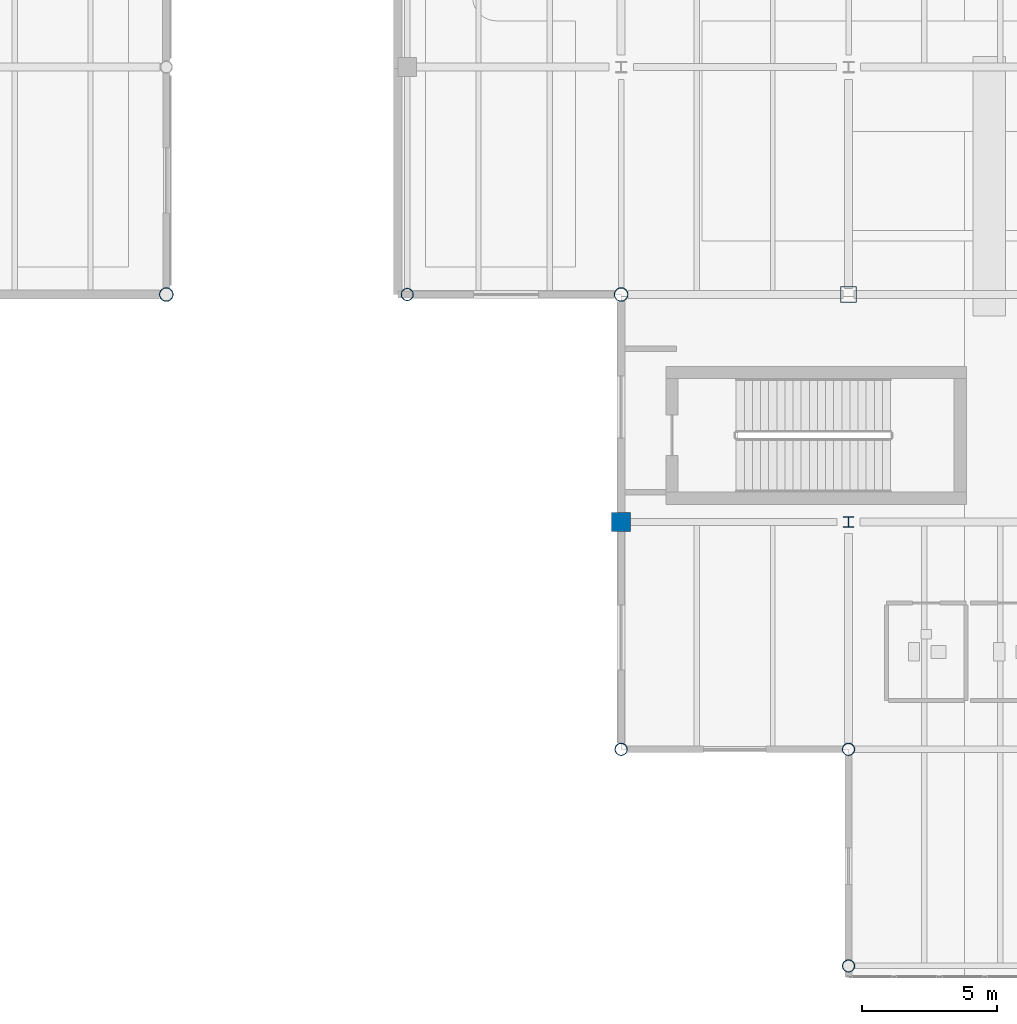
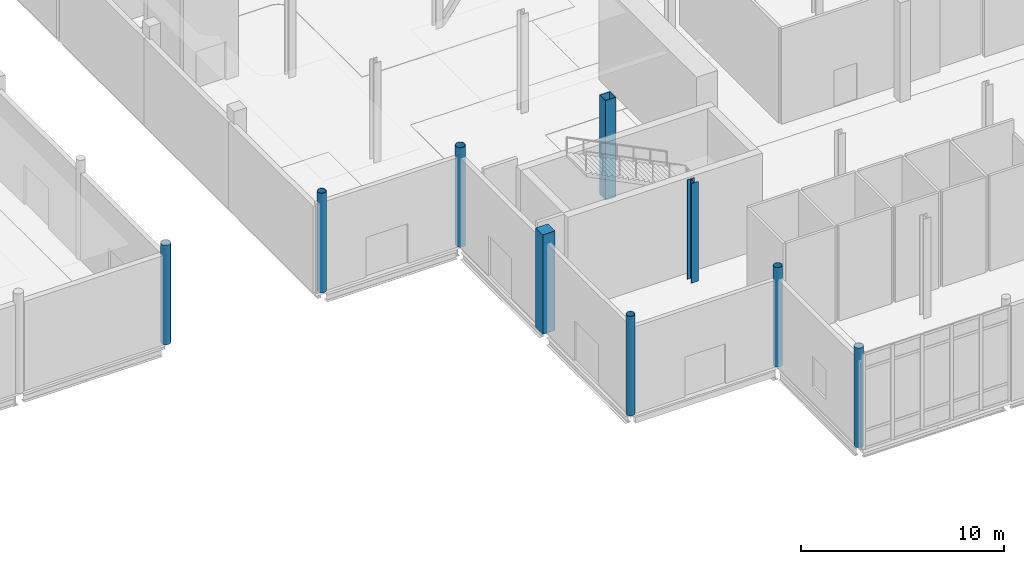
# One storey, part 4 of 85: 9 columns.
"""IFC4 building model written with IfcOpenShell, lengths in metres."""

import ifcopenshell
import ifcopenshell.guid

model = None  # the IFC model being written
_history = None  # IfcOwnerHistory: only IFC2X3 demands one
_inside = {}  # id of a spatial element -> (the spatial element, [elements in it])
_under = {}  # id of a project, library or spatial element -> (it, [spatial elements below it])
_declared = {}  # id of a project -> (the project, [libraries it declares])
_typed = {}  # id of a type object -> (the type object, [elements of that type])
_made_of = {}  # id of a material, layer set ... -> (it, [elements and type objects made of it])


def new_model(schema):
    """Start an empty IFC model of exactly this schema.

    Asked for "IFC4X3", IfcOpenShell would pick the latest addendum, in which some entities
    have other attributes; the version numbers below select the first issue.
    IFC2X3 requires an IfcOwnerHistory on every rooted entity: one is made here for all.
    """
    global model, _history
    if schema == "IFC4X3":
        model = ifcopenshell.file(schema_version=(4, 3, 0, 0))
    else:
        model = ifcopenshell.file(schema=schema)
    _inside.clear()
    _under.clear()
    _declared.clear()
    _typed.clear()
    _made_of.clear()
    _history = None
    if model.schema == "IFC2X3":
        org = make("IfcOrganization", Name="unknown")
        user = make(
            "IfcPersonAndOrganization",
            ThePerson=make("IfcPerson", FamilyName="unknown"),
            TheOrganization=org,
        )
        app = make(
            "IfcApplication",
            ApplicationDeveloper=org,
            Version="unknown",
            ApplicationFullName="unknown",
            ApplicationIdentifier="unknown",
        )
        _history = make(
            "IfcOwnerHistory",
            OwningUser=user,
            OwningApplication=app,
            ChangeAction="ADDED",
            CreationDate=0,
        )
    return model


def make(cls, **values):
    """One entity of the class cls with the attributes given. An attribute that is None is left unset."""
    return model.create_entity(
        cls, **{name: value for name, value in values.items() if value is not None}
    )


def rooted(cls, **values):
    """An entity with a GlobalId (a new one), such as an element, a storey or a relation."""
    return make(cls, GlobalId=ifcopenshell.guid.new(), OwnerHistory=_history, **values)


def si_unit(unit_type, name, prefix=None):
    """IfcSIUnit, for example si_unit("LENGTHUNIT", "METRE", prefix="MILLI")."""
    return make("IfcSIUnit", UnitType=unit_type, Prefix=prefix, Name=name)


def assignment(units):
    """IfcUnitAssignment: the units of a project."""
    return None if units is None else make("IfcUnitAssignment", Units=units)


def point(xyz):
    """IfcCartesianPoint."""
    return None if xyz is None else make("IfcCartesianPoint", Coordinates=xyz)


def direction(xyz):
    """IfcDirection."""
    return None if xyz is None else make("IfcDirection", DirectionRatios=xyz)


def frame(location, z_axis=None, x_axis=None):
    """IfcAxis2Placement3D, a coordinate frame: its origin and axes. An axis left out is left unset."""
    return make(
        "IfcAxis2Placement3D",
        Location=point(location),
        Axis=direction(z_axis),
        RefDirection=direction(x_axis),
    )


def frame_2d(location, x_axis=None):
    """IfcAxis2Placement2D, a coordinate frame in the plane: its origin and x axis."""
    return make(
        "IfcAxis2Placement2D", Location=point(location), RefDirection=direction(x_axis)
    )


def origin():
    """The frame at (0, 0, 0) with its axes left unset."""
    return frame((0.0, 0.0, 0.0))


def origin_2d():
    """The frame at (0, 0) in the plane with its x axis left unset."""
    return frame_2d((0.0, 0.0))


def place(relative_to, where):
    """IfcLocalPlacement: puts the frame where relative to a parent placement (None: the world)."""
    return make(
        "IfcLocalPlacement", PlacementRelTo=relative_to, RelativePlacement=where
    )


def context(
    kind, dimensions, precision=None, world=None, true_north=None, identifier=None
):
    """IfcGeometricRepresentationContext, for example the 3D "Model" context."""
    return make(
        "IfcGeometricRepresentationContext",
        ContextIdentifier=identifier,
        ContextType=kind,
        CoordinateSpaceDimension=dimensions,
        Precision=precision,
        WorldCoordinateSystem=world,
        TrueNorth=true_north,
    )


def subcontext(parent, identifier, kind, view, scale=None):
    """IfcGeometricRepresentationSubContext, for example "Body" below "Model"."""
    return make(
        "IfcGeometricRepresentationSubContext",
        ContextIdentifier=identifier,
        ContextType=kind,
        ParentContext=parent,
        TargetScale=scale,
        TargetView=view,
    )


def project(units=None, contexts=None):
    """IfcProject with its units and contexts."""
    return rooted(
        "IfcProject",
        Name="project",
        RepresentationContexts=contexts,
        UnitsInContext=assignment(units),
    )


def spatial(cls, under=None, at=None, **own):
    """A site, building, storey or space (cls), placed at a placement, below another one or the project."""
    s = rooted(cls, ObjectPlacement=at, **own)
    if under is not None:
        _under.setdefault(under.id(), (under, []))[1].append(s)
    return s


def profile(cls, at=None, kind="AREA", **sizes):
    """A parametric profile (cls). Its sizes go by their IFC names, for example OverallWidth=200.0."""
    return make(cls, ProfileType=kind, Position=at, **sizes)


def rectangle(**sizes):
    """IfcRectangleProfileDef."""
    return profile("IfcRectangleProfileDef", **sizes)


def hollow_rectangle(**sizes):
    """IfcRectangleHollowProfileDef."""
    return profile("IfcRectangleHollowProfileDef", **sizes)


def hollow_circle(**sizes):
    """IfcCircleHollowProfileDef."""
    return profile("IfcCircleHollowProfileDef", **sizes)


def i_section(**sizes):
    """IfcIShapeProfileDef."""
    return profile("IfcIShapeProfileDef", **sizes)


def extrude(swept, where, along, depth):
    """IfcExtrudedAreaSolid: the profile swept, set in the frame where, extruded along a direction by depth."""
    return make(
        "IfcExtrudedAreaSolid",
        SweptArea=swept,
        Position=where,
        ExtrudedDirection=direction(along),
        Depth=depth,
    )


def shape(context_of_items, identifier, shape_type, items):
    """IfcShapeRepresentation: the items that make up one representation, for example the "Body"."""
    return make(
        "IfcShapeRepresentation",
        ContextOfItems=context_of_items,
        RepresentationIdentifier=identifier,
        RepresentationType=shape_type,
        Items=items,
    )


def material(Name=None, Category=None):
    """IfcMaterial."""
    return make("IfcMaterial", Name=Name, Category=Category)


def material_profile(
    of_material, cross_section, Name=None, Category=None, Priority=None
):
    """IfcMaterialProfile: a cross section and its material."""
    return make(
        "IfcMaterialProfile",
        Name=Name,
        Material=of_material,
        Profile=cross_section,
        Priority=Priority,
        Category=Category,
    )


def profile_set(profiles, Name=None, composite=None):
    """IfcMaterialProfileSet."""
    return make(
        "IfcMaterialProfileSet",
        Name=Name,
        MaterialProfiles=profiles,
        CompositeProfile=composite,
    )


def made_of(thing, what):
    """Note that an element or type object is made of a material, layer set ...; save() writes the relation."""
    if what is not None:
        _made_of.setdefault(what.id(), (what, []))[1].append(thing)
    return thing


def type_object(cls, material=None, **own):
    """A type object (cls), such as IfcWallType, which elements share."""
    return made_of(rooted(cls, **own), material)


def element(
    cls,
    number,
    at=None,
    inside=None,
    cuts=None,
    type_object=None,
    material=None,
    context=None,
    identifier="Body",
    shape_type=None,
    held_by="IfcProductDefinitionShape",
    body=None,
    shapes=None,
    **own,
):
    """One element of the class cls, such as IfcWall. Its Tag is "e" and its number.

    at: its placement. inside: the storey or other place that contains it. cuts: it is an
    opening in that element (IfcRelVoidsElement). A single representation is given by context,
    identifier, shape_type and body (its items); several are given by shapes. held_by: the class
    of the entity that holds the representations. save() writes the other relations.
    """
    e = rooted(cls, Tag="e%d" % number, ObjectPlacement=at, **own)
    if body is not None:
        shapes = [shape(context, identifier, shape_type, body)]
    if shapes is not None:
        e.Representation = make(held_by, Representations=shapes)
    if inside is not None:
        _inside.setdefault(inside.id(), (inside, []))[1].append(e)
    if cuts is not None:
        rooted(
            "IfcRelVoidsElement", RelatingBuildingElement=cuts, RelatedOpeningElement=e
        )
    if type_object is not None:
        _typed.setdefault(type_object.id(), (type_object, []))[1].append(e)
    return made_of(e, material)


def aggregate(whole, parts):
    """IfcRelAggregates: a whole, such as a stair, and the parts it consists of."""
    return rooted("IfcRelAggregates", RelatingObject=whole, RelatedObjects=parts)


def save(model, path):
    """Write the relations noted so far, then the file.

    IfcRelAggregates (storeys below a building ...), IfcRelContainedInSpatialStructure (elements
    in a storey), IfcRelDefinesByType, IfcRelAssociatesMaterial and IfcRelDeclares: one each for
    every whole, place, type object, material and project.
    """
    for whole, parts in _under.values():
        aggregate(whole, parts)
    for where, things in _inside.values():
        rooted(
            "IfcRelContainedInSpatialStructure",
            RelatedElements=things,
            RelatingStructure=where,
        )
    for kind, things in _typed.values():
        rooted("IfcRelDefinesByType", RelatedObjects=things, RelatingType=kind)
    for what, things in _made_of.values():
        rooted("IfcRelAssociatesMaterial", RelatedObjects=things, RelatingMaterial=what)
    for by, libraries in _declared.values():
        rooted("IfcRelDeclares", RelatingContext=by, RelatedDefinitions=libraries)
    model.write(path)


model = new_model("IFC4")

# Units and contexts
model_context = context("Model", 3, precision=1e-05, world=origin(), true_north=direction((0.0, 1.0)))
body_context = subcontext(model_context, "Body", "Model", "MODEL_VIEW")
ifc_project = project(units=[si_unit("LENGTHUNIT", "METRE"), si_unit("AREAUNIT", "SQUARE_METRE"), si_unit("VOLUMEUNIT", "CUBIC_METRE"), si_unit("PLANEANGLEUNIT", "RADIAN"), si_unit("MASSUNIT", "GRAM", prefix="KILO"), si_unit("THERMODYNAMICTEMPERATUREUNIT", "KELVIN")], contexts=[model_context])

# Site, building, storey
site_placement = place(None, origin())
site = spatial("IfcSite", under=ifc_project, at=site_placement, CompositionType="ELEMENT")
building_placement = place(site_placement, origin())
building = spatial("IfcBuilding", under=site, at=building_placement, Name="Lustrewick Department Store", CompositionType="ELEMENT")
storey_placement = place(building_placement, origin())
storey = spatial("IfcBuildingStorey", under=building, at=storey_placement, Name="L01", CompositionType="ELEMENT", Elevation=0.0)

# Columns
ifc_material_1 = material(Name="Structural steel Q355C", Category="steel")
ifc_material_profile_1 = material_profile(ifc_material_1, hollow_rectangle(XDim=0.60009765625, YDim=0.60009765625, WallThickness=0.02392578125, at=origin_2d()), Name="BOX 600x600x24")
ifc_profile_set_1 = profile_set([ifc_material_profile_1], Name="Structural steel Q355C")
column_type_1 = type_object("IfcColumnType", Name="C04", PredefinedType="COLUMN", material=ifc_profile_set_1)
column_1_placement = place(storey_placement, frame((126.0, 25.199951171875, 0.0), z_axis=(0.0, 0.0, 1.0), x_axis=(1.0, 0.0, 0.0)))
element("IfcColumn", 1, at=column_1_placement, inside=storey, type_object=column_type_1, Name="L01 V3 Column C04", PredefinedType="COLUMN", context=body_context, shape_type="SweptSolid", body=[
    extrude(hollow_rectangle(XDim=0.60009765625, YDim=0.60009765625, WallThickness=0.02392578125, at=origin_2d()), origin(), (0.0, 0.0, 1.0), 6.0),
])
ifc_material_2 = material(Name="Structural steel Q355B", Category="steel")
ifc_material_profile_2 = material_profile(ifc_material_2, i_section(OverallWidth=0.39990234375, OverallDepth=0.39990234375, WebThickness=0.012939453125, FlangeThickness=0.02099609375, FilletRadius=0.02197265625, at=origin_2d()), Name="HW 400x400x13x21")
ifc_profile_set_2 = profile_set([ifc_material_profile_2], Name="Structural steel Q355B")
column_type_2 = type_object("IfcColumnType", Name="C11", PredefinedType="COLUMN", material=ifc_profile_set_2)
column_2_placement = place(storey_placement, frame((126.0, 16.800048828125, 0.0), z_axis=(0.0, 0.0, 1.0), x_axis=(1.0, 0.0, 0.0)))
element("IfcColumn", 2, at=column_2_placement, inside=storey, type_object=column_type_2, Name="L01 V3 Column C11", PredefinedType="COLUMN", context=body_context, shape_type="SweptSolid", body=[
    extrude(i_section(OverallWidth=0.39990234375, OverallDepth=0.39990234375, WebThickness=0.012939453125, FlangeThickness=0.02099609375, FilletRadius=0.02197265625, at=origin_2d()), origin(), (0.0, 0.0, 1.0), 6.0),
])
ifc_material_profile_3 = material_profile(ifc_material_1, hollow_circle(Radius=0.25390625, WallThickness=0.01611328125, at=origin_2d()), Name="CHS 508x16")
ifc_profile_set_3 = profile_set([ifc_material_profile_3], Name="Structural steel Q355C")
column_type_3 = type_object("IfcColumnType", Name="CE01", PredefinedType="COLUMN", material=ifc_profile_set_3)
for number, where, z_axis, x_axis, name in (
    (3, (100.800048828125, 25.199951171875, 0.0), (0.0, 0.0, 1.0), (1.0, 0.0, 0.0), "L01 V2 Column CE01"),
    (4, (117.60009765625, 25.199951171875, 0.0), (0.0, 0.0, 1.0), (1.0, 0.0, 0.0), "L01 V3 Column CE01"),
):
    element("IfcColumn", number, at=place(storey_placement, frame(where, z_axis=z_axis, x_axis=x_axis)), inside=storey, type_object=column_type_3, Name=name, PredefinedType="COLUMN", context=body_context, shape_type="SweptSolid", body=[
        extrude(hollow_circle(Radius=0.25390625, WallThickness=0.01611328125, at=origin_2d()), origin(), (0.0, 0.0, 1.0), 6.0),
    ])
ifc_material_profile_4 = material_profile(ifc_material_1, hollow_circle(Radius=0.228515625, WallThickness=0.01611328125, at=origin_2d()), Name="CHS 457x16")
ifc_profile_set_4 = profile_set([ifc_material_profile_4], Name="Structural steel Q355C")
column_type_4 = type_object("IfcColumnType", Name="CE02", PredefinedType="COLUMN", material=ifc_profile_set_4)
for number, where, z_axis, x_axis, name in (
    (5, (109.699951171875, 25.199951171875, 0.0), (0.0, 0.0, 1.0), (1.0, 0.0, 0.0), "L01 V3 Column CE02"),
    (6, (117.60009765625, 8.39990234375, 0.0), (0.0, 0.0, 1.0), (1.0, 0.0, 0.0), "L01 V3 Column CE02"),
    (7, (126.0, 0.39990234375, 0.0), (0.0, 0.0, 1.0), (1.0, 0.0, 0.0), "L01 V3 Column CE02"),
    (8, (126.0, 8.39990234375, 0.0), (0.0, 0.0, 1.0), (1.0, 0.0, 0.0), "L01 V3 Column CE02"),
):
    element("IfcColumn", number, at=place(storey_placement, frame(where, z_axis=z_axis, x_axis=x_axis)), inside=storey, type_object=column_type_4, Name=name, PredefinedType="COLUMN", context=body_context, shape_type="SweptSolid", body=[
        extrude(hollow_circle(Radius=0.228515625, WallThickness=0.01611328125, at=origin_2d()), origin(), (0.0, 0.0, 1.0), 6.0),
    ])
ifc_material_3 = material(Name="Concrete C40", Category="concrete")
ifc_material_profile_5 = material_profile(ifc_material_3, rectangle(XDim=0.699951171875, YDim=0.699951171875, at=origin_2d()), Name="RC 700x700")
ifc_profile_set_5 = profile_set([ifc_material_profile_5], Name="Concrete C40")
column_type_5 = type_object("IfcColumnType", Name="CE06", PredefinedType="COLUMN", material=ifc_profile_set_5)
column_3_placement = place(storey_placement, frame((117.60009765625, 16.800048828125, 0.0), z_axis=(0.0, 0.0, 1.0), x_axis=(1.0, 0.0, 0.0)))
element("IfcColumn", 9, at=column_3_placement, inside=storey, type_object=column_type_5, Name="L01 V3 Column CE06", PredefinedType="COLUMN", context=body_context, shape_type="SweptSolid", body=[
    extrude(rectangle(XDim=0.699951171875, YDim=0.699951171875, at=origin_2d()), origin(), (0.0, 0.0, 1.0), 6.0),
])

save(model, "model.ifc")
